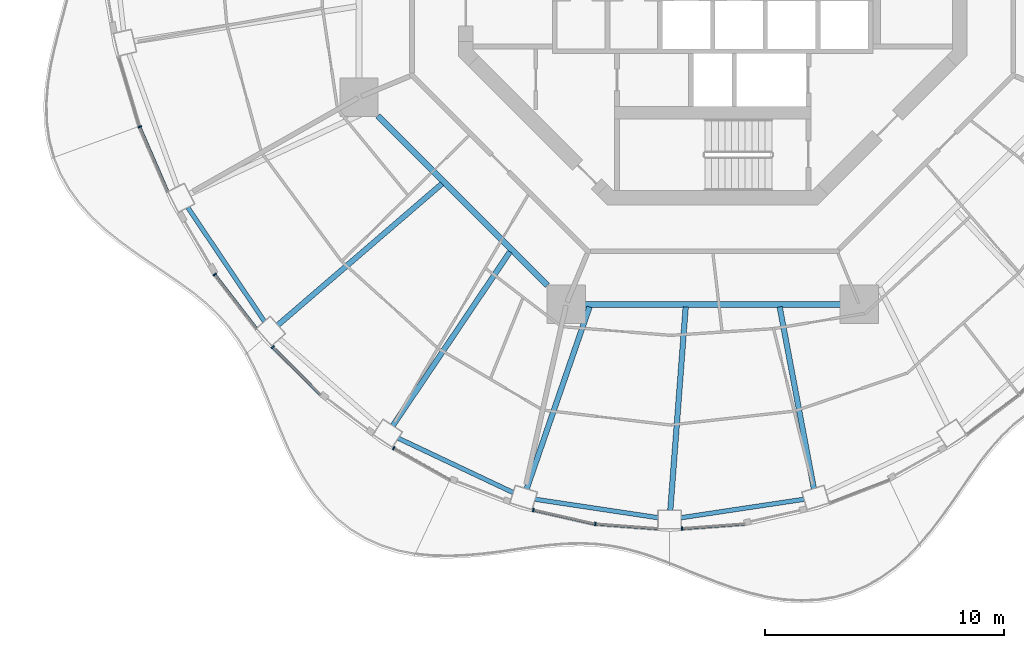
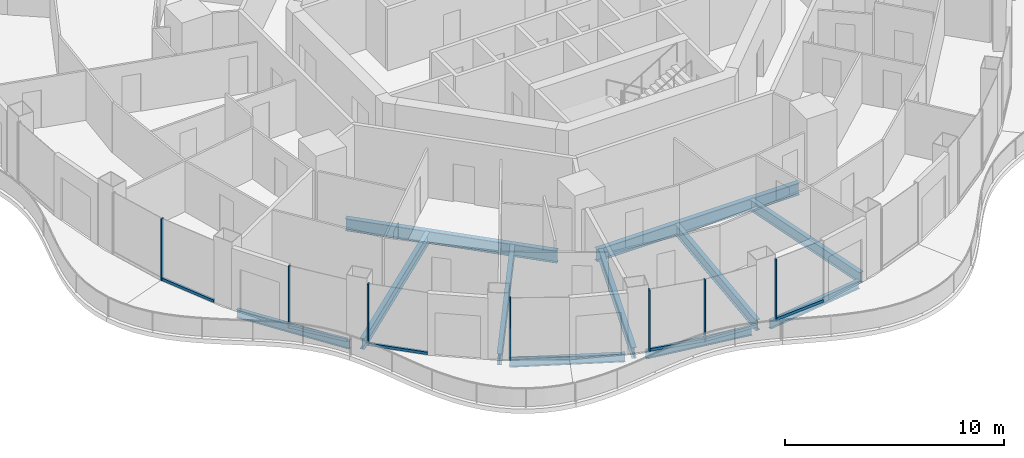
# One storey, part 2 of 18: 13 members, 11 beams, 7 elements without a shape of their own.
"""IFC4 building model written with IfcOpenShell, lengths in metres."""

from ifc_helpers import new_model, si_unit, direction, frame, origin, origin_2d, place, context, subcontext, project, spatial, rectangle, i_section, extrude, material, layer, layer_set, material_profile, profile_set, type_object, element, aggregate, save


model = new_model("IFC4")

# Units and contexts
model_context = context("Model", 3, precision=1e-05, world=origin(), true_north=direction((0.0, 1.0)))
body_context = subcontext(model_context, "Body", "Model", "MODEL_VIEW")
ifc_project = project(units=[si_unit("LENGTHUNIT", "METRE"), si_unit("AREAUNIT", "SQUARE_METRE"), si_unit("VOLUMEUNIT", "CUBIC_METRE"), si_unit("PLANEANGLEUNIT", "RADIAN"), si_unit("MASSUNIT", "GRAM", prefix="KILO")], contexts=[model_context])

# Site, building, storey
site_placement = place(None, origin())
site = spatial("IfcSite", under=ifc_project, at=site_placement, CompositionType="ELEMENT")
building_placement = place(site_placement, origin())
building = spatial("IfcBuilding", under=site, at=building_placement, Name="Nagisa Residences", CompositionType="ELEMENT")
storey_placement = place(building_placement, frame((0.0, 0.0, 238.10009765625)))
storey = spatial("IfcBuildingStorey", under=building, at=storey_placement, Name="L60", CompositionType="ELEMENT", Elevation=238.10009765625)

# Curtain wall, member
ifc_material_1 = material(Name="Concrete-coloured aluminium curtain wall system", Category="concrete")
ifc_layer = layer(ifc_material_1, 0.159912109375)
ifc_layer_set = layer_set([ifc_layer], Name="CW1 CURTAIN WALL")
curtain_wall_type = type_object("IfcCurtainWallType", Name="CW1 CURTAIN WALL", PredefinedType="NOTDEFINED", material=ifc_layer_set)
curtain_wall_1_placement = place(storey_placement, origin())
curtain_wall_1 = element("IfcCurtainWall", 1, at=curtain_wall_1_placement, inside=storey, type_object=curtain_wall_type, Name="cw:CW1:L60:27", PredefinedType="NOTDEFINED")
ifc_material_2 = material(Name="Concrete-coloured aluminium", Category="concrete")
ifc_material_profile_1 = material_profile(ifc_material_2, rectangle(XDim=0.159912109375, YDim=0.06005859375, at=origin_2d()), Name="CW1 MULLION 160x60")
ifc_profile_set_1 = profile_set([ifc_material_profile_1], Name="Concrete-coloured aluminium")
member_type_1 = type_object("IfcMemberType", Name="CW1 MULLION 160x60", PredefinedType="MULLION", material=ifc_profile_set_1)
member_1_placement = place(storey_placement, frame((-23.952392578125, -7.359619140625, 0.0), z_axis=(0.0, 0.0, 1.0), x_axis=(0.917543276295, 0.397635934147, 0.0)))
member_1 = element("IfcMember", 2, at=member_1_placement, type_object=member_type_1, Name="CW1 mullion", PredefinedType="MULLION", context=body_context, shape_type="SweptSolid", body=[
    extrude(rectangle(XDim=0.159912109375, YDim=0.06005859375, at=origin_2d()), origin(), (0.0, 0.0, 1.0), 3.43994140625),
])

curtain_wall_2_placement = place(storey_placement, origin())
curtain_wall_2 = element("IfcCurtainWall", 3, at=curtain_wall_2_placement, inside=storey, type_object=curtain_wall_type, Name="cw:CW1:L60:29", PredefinedType="NOTDEFINED")
member_2_placement = place(storey_placement, frame((-20.814453125, -13.53125, 0.0), z_axis=(0.0, 0.0, 1.0), x_axis=(0.792070340816, 0.610429828235, 0.0)))
member_2 = element("IfcMember", 4, at=member_2_placement, type_object=member_type_1, Name="CW1 mullion", PredefinedType="MULLION", context=body_context, shape_type="SweptSolid", body=[
    extrude(rectangle(XDim=0.159912109375, YDim=0.06005859375, at=origin_2d()), origin(), (0.0, 0.0, 1.0), 3.43994140625),
])

curtain_wall_3_placement = place(storey_placement, origin())
curtain_wall_3 = element("IfcCurtainWall", 5, at=curtain_wall_3_placement, inside=storey, type_object=curtain_wall_type, Name="cw:CW1:L60:30", PredefinedType="NOTDEFINED")
member_3_placement = place(storey_placement, frame((-18.388427734375, -16.567626953125, 0.0), z_axis=(0.0, 0.0, 1.0), x_axis=(0.706376885714, 0.707835924016, 0.0)))
member_3 = element("IfcMember", 6, at=member_3_placement, type_object=member_type_1, Name="CW1 mullion", PredefinedType="MULLION", context=body_context, shape_type="SweptSolid", body=[
    extrude(rectangle(XDim=0.159912109375, YDim=0.06005859375, at=origin_2d()), origin(), (0.0, 0.0, 1.0), 3.43994140625),
])

curtain_wall_4_placement = place(storey_placement, origin())
curtain_wall_4 = element("IfcCurtainWall", 7, at=curtain_wall_4_placement, inside=storey, type_object=curtain_wall_type, Name="cw:CW1:L60:32", PredefinedType="NOTDEFINED")
member_4_placement = place(storey_placement, frame((-13.333740234375, -20.792236328125, 0.0), z_axis=(0.0, 0.0, 1.0), x_axis=(0.489376918501, 0.872072377523, 0.0)))
member_4 = element("IfcMember", 8, at=member_4_placement, type_object=member_type_1, Name="CW1 mullion", PredefinedType="MULLION", context=body_context, shape_type="SweptSolid", body=[
    extrude(rectangle(XDim=0.159912109375, YDim=0.06005859375, at=origin_2d()), origin(), (0.0, 0.0, 1.0), 3.43994140625),
])
aggregate(curtain_wall_4, [member_4])

curtain_wall_5_placement = place(storey_placement, origin())
curtain_wall_5 = element("IfcCurtainWall", 9, at=curtain_wall_5_placement, inside=storey, type_object=curtain_wall_type, Name="cw:CW1:L60:34", PredefinedType="NOTDEFINED")
member_5_placement = place(storey_placement, frame((-7.4951171875, -23.3779296875, 0.0), z_axis=(0.0, 0.0, 1.0), x_axis=(0.2207639201, 0.975327274089, 0.0)))
member_5 = element("IfcMember", 10, at=member_5_placement, type_object=member_type_1, Name="CW1 mullion", PredefinedType="MULLION", context=body_context, shape_type="SweptSolid", body=[
    extrude(rectangle(XDim=0.159912109375, YDim=0.06005859375, at=origin_2d()), origin(), (0.0, 0.0, 1.0), 3.43994140625),
])

curtain_wall_6_placement = place(storey_placement, origin())
curtain_wall_6 = element("IfcCurtainWall", 11, at=curtain_wall_6_placement, inside=storey, type_object=curtain_wall_type, Name="cw:CW1:L60:35", PredefinedType="NOTDEFINED")
member_6_placement = place(storey_placement, frame((-4.906005859375, -23.96044921875, 0.0), z_axis=(0.0, 0.0, 1.0), x_axis=(0.074377355493, 0.997230168512, 0.0)))
member_6 = element("IfcMember", 12, at=member_6_placement, type_object=member_type_1, Name="CW1 mullion", PredefinedType="MULLION", context=body_context, shape_type="SweptSolid", body=[
    extrude(rectangle(XDim=0.159912109375, YDim=0.06005859375, at=origin_2d()), origin(), (0.0, 0.0, 1.0), 3.43994140625),
])

curtain_wall_7_placement = place(storey_placement, origin())
curtain_wall_7 = element("IfcCurtainWall", 13, at=curtain_wall_7_placement, inside=storey, type_object=curtain_wall_type, Name="cw:CW1:L60:36", PredefinedType="NOTDEFINED")
member_7_placement = place(storey_placement, frame((-1.27734375, -24.153076171875, 0.0), z_axis=(0.0, 0.0, 1.0), x_axis=(-0.074377355493, 0.997230168512, 0.0)))
member_7 = element("IfcMember", 14, at=member_7_placement, type_object=member_type_1, Name="CW1 mullion", PredefinedType="MULLION", context=body_context, shape_type="SweptSolid", body=[
    extrude(rectangle(XDim=0.159912109375, YDim=0.06005859375, at=origin_2d()), origin(), (0.0, 0.0, 1.0), 3.43994140625),
])

# Member
ifc_material_3 = material(Name="Concrete-coloured aluminium", Category="concrete")
ifc_material_profile_2 = material_profile(ifc_material_3, rectangle(XDim=0.1201171875, YDim=0.14990234375, at=origin_2d()), Name="CW1 TRANSOM 120x150")
ifc_profile_set_2 = profile_set([ifc_material_profile_2], Name="Concrete-coloured aluminium")
member_type_2 = type_object("IfcMemberType", Name="CW1 TRANSOM 120x150", PredefinedType="USERDEFINED", material=ifc_profile_set_2)
member_8_placement = place(storey_placement, frame((-23.96435546875, -7.332275390625, 0.074951171875), z_axis=(0.397616567135, -0.917551669139, 0.0), x_axis=(0.917551669139, 0.397616567135, 0.0)))
member_8 = element("IfcMember", 15, at=member_8_placement, type_object=member_type_2, Name="CW1 transom", ObjectType="TRANSOM", PredefinedType="USERDEFINED", context=body_context, shape_type="SweptSolid", body=[
    extrude(rectangle(XDim=0.1201171875, YDim=0.14990234375, at=origin_2d()), origin(), (0.0, 0.0, 1.0), 3.001953125),
])

aggregate(curtain_wall_1, [member_1, member_8])

member_9_placement = place(storey_placement, frame((-20.832763671875, -13.507568359375, 0.074951171875), z_axis=(0.610438565676, -0.792063607001, 0.0), x_axis=(0.792063607001, 0.610438565676, 0.0)))
member_9 = element("IfcMember", 16, at=member_9_placement, type_object=member_type_2, Name="CW1 transom", ObjectType="TRANSOM", PredefinedType="USERDEFINED", context=body_context, shape_type="SweptSolid", body=[
    extrude(rectangle(XDim=0.1201171875, YDim=0.14990234375, at=origin_2d()), origin(), (0.0, 0.0, 1.0), 2.90087890625),
])

aggregate(curtain_wall_2, [member_2, member_9])

member_10_placement = place(storey_placement, frame((-18.40966796875, -16.546630859375, 0.074951171875), z_axis=(0.707836044127, -0.706376765356, 0.0), x_axis=(0.706376765356, 0.707836044127, 0.0)))
member_10 = element("IfcMember", 17, at=member_10_placement, type_object=member_type_2, Name="CW1 transom", ObjectType="TRANSOM", PredefinedType="USERDEFINED", context=body_context, shape_type="SweptSolid", body=[
    extrude(rectangle(XDim=0.1201171875, YDim=0.14990234375, at=origin_2d()), origin(), (0.0, 0.0, 1.0), 2.84423828125),
])

aggregate(curtain_wall_3, [member_3, member_10])

member_11_placement = place(storey_placement, frame((-7.5244140625, -23.371337890625, 0.074951171875), z_axis=(0.975324089124, -0.220777990694, 0.0), x_axis=(0.220777990694, 0.975324089124, 0.0)))
member_11 = element("IfcMember", 18, at=member_11_placement, type_object=member_type_2, Name="CW1 transom", ObjectType="TRANSOM", PredefinedType="USERDEFINED", context=body_context, shape_type="SweptSolid", body=[
    extrude(rectangle(XDim=0.1201171875, YDim=0.14990234375, at=origin_2d()), origin(), (0.0, 0.0, 1.0), 2.666015625),
])

aggregate(curtain_wall_5, [member_5, member_11])

member_12_placement = place(storey_placement, frame((-4.935791015625, -23.958251953125, 0.074951171875), z_axis=(0.997233213085, -0.074336523458, 0.0), x_axis=(0.074336523458, 0.997233213085, 0.0)))
member_12 = element("IfcMember", 19, at=member_12_placement, type_object=member_type_2, Name="CW1 transom", ObjectType="TRANSOM", PredefinedType="USERDEFINED", context=body_context, shape_type="SweptSolid", body=[
    extrude(rectangle(XDim=0.1201171875, YDim=0.14990234375, at=origin_2d()), origin(), (0.0, 0.0, 1.0), 2.650390625),
])

aggregate(curtain_wall_6, [member_6, member_12])

member_13_placement = place(storey_placement, frame((-1.307373046875, -24.1552734375, 0.074951171875), z_axis=(0.997233213085, 0.074336523458, 0.0), x_axis=(-0.074336523458, 0.997233213085, 0.0)))
member_13 = element("IfcMember", 20, at=member_13_placement, type_object=member_type_2, Name="CW1 transom", ObjectType="TRANSOM", PredefinedType="USERDEFINED", context=body_context, shape_type="SweptSolid", body=[
    extrude(rectangle(XDim=0.1201171875, YDim=0.14990234375, at=origin_2d()), origin(), (0.0, 0.0, 1.0), 2.650390625),
])

aggregate(curtain_wall_7, [member_7, member_13])

# Beams
ifc_material_4 = material(Name="Steel ASTM A572 Gr 50", Category="steel")
ifc_material_profile_3 = material_profile(ifc_material_4, i_section(OverallWidth=0.2529296875, OverallDepth=0.677978515625, WebThickness=0.01171875, FlangeThickness=0.016357421875, at=origin_2d()), Name="W690x125")
ifc_profile_set_3 = profile_set([ifc_material_profile_3], Name="Steel ASTM A572 Gr 50")
beam_type_1 = type_object("IfcBeamType", Name="Inner ring beam W690x125", PredefinedType="BEAM", material=ifc_profile_set_3)
beam_1_placement = place(storey_placement, frame((-13.99609375, -6.90869140625, -0.59912109375), z_axis=(0.707106781187, -0.707106781187, 0.0), x_axis=(0.707106781187, 0.707106781187, 0.0)))
element("IfcBeam", 21, at=beam_1_placement, inside=storey, type_object=beam_type_1, Name="beam:L60:ib5", PredefinedType="BEAM", context=body_context, shape_type="SweptSolid", body=[
    extrude(i_section(OverallWidth=0.2529296875, OverallDepth=0.677978515625, WebThickness=0.01171875, FlangeThickness=0.016357421875, at=origin_2d()), origin(), (0.0, 0.0, 1.0), 10.023193359375),
])
beam_2_placement = place(storey_placement, frame((-5.343017578125, -14.781982421875, -0.59912109375), z_axis=(1.0, 0.0, 0.0), x_axis=(0.0, 1.0, 0.0)))
element("IfcBeam", 22, at=beam_2_placement, inside=storey, type_object=beam_type_1, Name="beam:L60:ib6", PredefinedType="BEAM", context=body_context, shape_type="SweptSolid", body=[
    extrude(i_section(OverallWidth=0.2529296875, OverallDepth=0.677978515625, WebThickness=0.01171875, FlangeThickness=0.016357421875, at=origin_2d()), origin(), (0.0, 0.0, 1.0), 10.68603515625),
])
ifc_material_5 = material(Name="Steel ASTM A572 Gr 50", Category="steel")
ifc_material_profile_4 = material_profile(ifc_material_5, i_section(OverallWidth=0.18994140625, OverallDepth=0.45703125, WebThickness=0.009033203125, FlangeThickness=0.014404296875, at=origin_2d()), Name="W460x74")
ifc_profile_set_4 = profile_set([ifc_material_profile_4], Name="Steel ASTM A572 Gr 50")
beam_type_2 = type_object("IfcBeamType", Name="Perimeter ring beam W460x74", PredefinedType="BEAM", material=ifc_profile_set_4)
beam_3_placement = place(storey_placement, frame((-21.942138671875, -10.728759765625, -0.488525390625), z_axis=(0.558079852096, -0.829787249049, 0.0), x_axis=(0.829787249049, 0.558079852096, 0.0)))
element("IfcBeam", 23, at=beam_3_placement, inside=storey, type_object=beam_type_2, Name="beam:L60:pb15", PredefinedType="BEAM", context=body_context, shape_type="SweptSolid", body=[
    extrude(i_section(OverallWidth=0.18994140625, OverallDepth=0.45703125, WebThickness=0.009033203125, FlangeThickness=0.014404296875, at=origin_2d()), origin(), (0.0, 0.0, 1.0), 5.743408203125),
])
beam_4_placement = place(storey_placement, frame((-13.146484375, -20.376953125, -0.488525390625), z_axis=(0.904133867308, -0.42724928319, 0.0), x_axis=(0.42724928319, 0.904133867308, 0.0)))
element("IfcBeam", 24, at=beam_4_placement, inside=storey, type_object=beam_type_2, Name="beam:L60:pb17", PredefinedType="BEAM", context=body_context, shape_type="SweptSolid", body=[
    extrude(i_section(OverallWidth=0.18994140625, OverallDepth=0.45703125, WebThickness=0.009033203125, FlangeThickness=0.014404296875, at=origin_2d()), origin(), (0.0, 0.0, 1.0), 5.317138671875),
])
for number, where, z_axis, x_axis, name in (
    (25, (-7.42041015625, -22.92822265625, -0.488525390625), (0.988909463745, -0.148519603133, 0.0), (0.148519603133, 0.988909463745, 0.0), "beam:L60:pb18"),
    (26, (-1.31982421875, -23.7001953125, -0.488525390625), (0.988909463745, 0.148519603133, 0.0), (-0.148519603133, 0.988909463745, 0.0), "beam:L60:pb19"),
):
    element("IfcBeam", number, at=place(storey_placement, frame(where, z_axis=z_axis, x_axis=x_axis)), inside=storey, type_object=beam_type_2, Name=name, PredefinedType="BEAM", context=body_context, shape_type="SweptSolid", body=[
        extrude(i_section(OverallWidth=0.18994140625, OverallDepth=0.45703125, WebThickness=0.009033203125, FlangeThickness=0.014404296875, at=origin_2d()), origin(), (0.0, 0.0, 1.0), 5.19775390625),
    ])
ifc_material_6 = material(Name="Steel ASTM A572 Gr 50", Category="steel")
ifc_material_profile_5 = material_profile(ifc_material_6, i_section(OverallWidth=0.22802734375, OverallDepth=0.60302734375, WebThickness=0.010498046875, FlangeThickness=0.014892578125, at=origin_2d()), Name="W610x101")
ifc_profile_set_5 = profile_set([ifc_material_profile_5], Name="Steel ASTM A572 Gr 50")
beam_type_3 = type_object("IfcBeamType", Name="Radial beam W610x101", PredefinedType="BEAM", material=ifc_profile_set_5)
beam_5_placement = place(storey_placement, frame((-18.178466796875, -15.6484375, -0.5615234375), z_axis=(0.7578828397, 0.652390681485, 0.0), x_axis=(-0.652390681485, 0.7578828397, 0.0)))
element("IfcBeam", 27, at=beam_5_placement, inside=storey, type_object=beam_type_3, Name="beam:L60:rb16", PredefinedType="BEAM", context=body_context, shape_type="SweptSolid", body=[
    extrude(i_section(OverallWidth=0.22802734375, OverallDepth=0.60302734375, WebThickness=0.010498046875, FlangeThickness=0.014892578125, at=origin_2d()), origin(), (0.0, 0.0, 1.0), 9.055908203125),
])
beam_6_placement = place(storey_placement, frame((-13.372802734375, -19.8544921875, -0.5615234375), z_axis=(0.558639079644, 0.829410862416, 0.0), x_axis=(-0.829410862416, 0.558639079644, 0.0)))
element("IfcBeam", 28, at=beam_6_placement, inside=storey, type_object=beam_type_3, Name="beam:L60:rb17", PredefinedType="BEAM", context=body_context, shape_type="SweptSolid", body=[
    extrude(i_section(OverallWidth=0.22802734375, OverallDepth=0.60302734375, WebThickness=0.010498046875, FlangeThickness=0.014892578125, at=origin_2d()), origin(), (0.0, 0.0, 1.0), 8.7685546875),
])
beam_7_placement = place(storey_placement, frame((-7.776123046875, -22.49658203125, -0.5615234375), z_axis=(0.32669171318, 0.945130956291, 0.0), x_axis=(-0.945130956291, 0.32669171318, 0.0)))
element("IfcBeam", 29, at=beam_7_placement, inside=storey, type_object=beam_type_3, Name="beam:L60:rb18", PredefinedType="BEAM", context=body_context, shape_type="SweptSolid", body=[
    extrude(i_section(OverallWidth=0.22802734375, OverallDepth=0.60302734375, WebThickness=0.010498046875, FlangeThickness=0.014892578125, at=origin_2d()), origin(), (0.0, 0.0, 1.0), 8.048583984375),
])
beam_8_placement = place(storey_placement, frame((-1.771240234375, -23.392333984375, -0.5615234375), z_axis=(0.075492377513, 0.997146378892, 0.0), x_axis=(-0.997146378892, 0.075492377513, 0.0)))
element("IfcBeam", 30, at=beam_8_placement, inside=storey, type_object=beam_type_3, Name="beam:L60:rb19", PredefinedType="BEAM", context=body_context, shape_type="SweptSolid", body=[
    extrude(i_section(OverallWidth=0.22802734375, OverallDepth=0.60302734375, WebThickness=0.010498046875, FlangeThickness=0.014892578125, at=origin_2d()), origin(), (0.0, 0.0, 1.0), 8.528076171875),
])
beam_9_placement = place(storey_placement, frame((4.229736328125, -22.480224609375, -0.5615234375), z_axis=(-0.184925861179, 0.982752474363, 0.0), x_axis=(-0.982752474363, -0.184925861179, 0.0)))
element("IfcBeam", 31, at=beam_9_placement, inside=storey, type_object=beam_type_3, Name="beam:L60:rb20", PredefinedType="BEAM", context=body_context, shape_type="SweptSolid", body=[
    extrude(i_section(OverallWidth=0.22802734375, OverallDepth=0.60302734375, WebThickness=0.010498046875, FlangeThickness=0.014892578125, at=origin_2d()), origin(), (0.0, 0.0, 1.0), 7.724609375),
])

save(model, "model.ifc")
